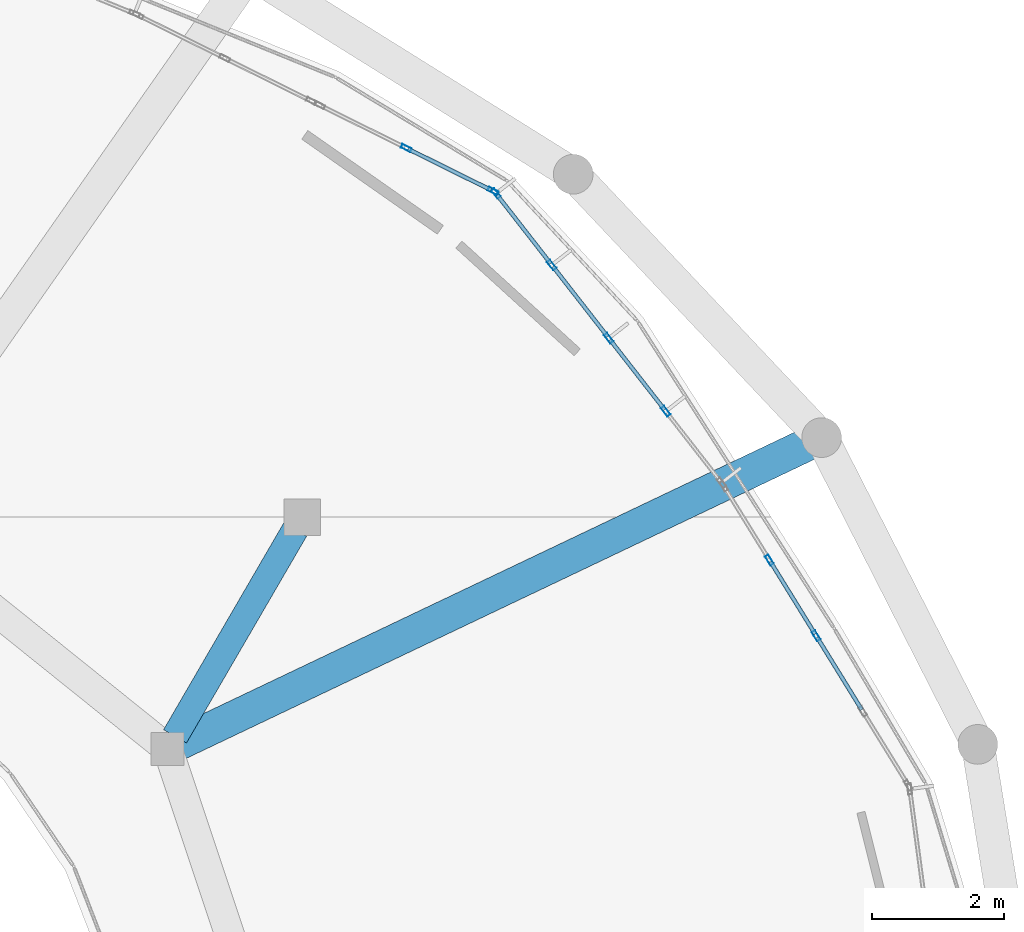
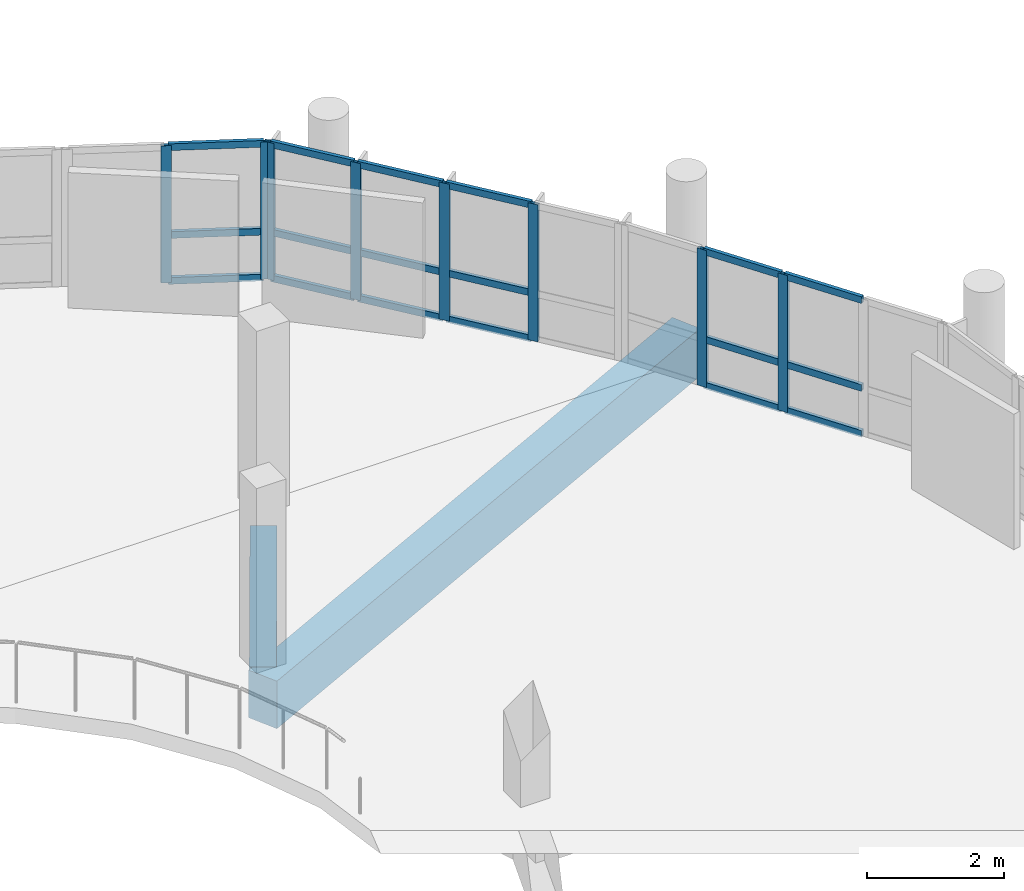
# One storey, part 23 of 43: 26 members, 2 beams, 3 elements without a shape of their own.
"""IFC4 building model written with IfcOpenShell, lengths in metres."""

import ifcopenshell
import ifcopenshell.guid

model = None  # the IFC model being written
_history = None  # IfcOwnerHistory: only IFC2X3 demands one
_inside = {}  # id of a spatial element -> (the spatial element, [elements in it])
_under = {}  # id of a project, library or spatial element -> (it, [spatial elements below it])
_declared = {}  # id of a project -> (the project, [libraries it declares])
_typed = {}  # id of a type object -> (the type object, [elements of that type])
_made_of = {}  # id of a material, layer set ... -> (it, [elements and type objects made of it])


def new_model(schema):
    """Start an empty IFC model of exactly this schema.

    Asked for "IFC4X3", IfcOpenShell would pick the latest addendum, in which some entities
    have other attributes; the version numbers below select the first issue.
    IFC2X3 requires an IfcOwnerHistory on every rooted entity: one is made here for all.
    """
    global model, _history
    if schema == "IFC4X3":
        model = ifcopenshell.file(schema_version=(4, 3, 0, 0))
    else:
        model = ifcopenshell.file(schema=schema)
    _inside.clear()
    _under.clear()
    _declared.clear()
    _typed.clear()
    _made_of.clear()
    _history = None
    if model.schema == "IFC2X3":
        org = make("IfcOrganization", Name="unknown")
        user = make(
            "IfcPersonAndOrganization",
            ThePerson=make("IfcPerson", FamilyName="unknown"),
            TheOrganization=org,
        )
        app = make(
            "IfcApplication",
            ApplicationDeveloper=org,
            Version="unknown",
            ApplicationFullName="unknown",
            ApplicationIdentifier="unknown",
        )
        _history = make(
            "IfcOwnerHistory",
            OwningUser=user,
            OwningApplication=app,
            ChangeAction="ADDED",
            CreationDate=0,
        )
    return model


def make(cls, **values):
    """One entity of the class cls with the attributes given. An attribute that is None is left unset."""
    return model.create_entity(
        cls, **{name: value for name, value in values.items() if value is not None}
    )


def rooted(cls, **values):
    """An entity with a GlobalId (a new one), such as an element, a storey or a relation."""
    return make(cls, GlobalId=ifcopenshell.guid.new(), OwnerHistory=_history, **values)


def si_unit(unit_type, name, prefix=None):
    """IfcSIUnit, for example si_unit("LENGTHUNIT", "METRE", prefix="MILLI")."""
    return make("IfcSIUnit", UnitType=unit_type, Prefix=prefix, Name=name)


def derived_unit(unit_type, elements):
    """IfcDerivedUnit: a product of units, each with its exponent."""
    return make(
        "IfcDerivedUnit",
        Elements=[
            make("IfcDerivedUnitElement", Unit=unit, Exponent=power)
            for unit, power in elements
        ],
        UnitType=unit_type,
    )


def assignment(units):
    """IfcUnitAssignment: the units of a project."""
    return None if units is None else make("IfcUnitAssignment", Units=units)


def point(xyz):
    """IfcCartesianPoint."""
    return None if xyz is None else make("IfcCartesianPoint", Coordinates=xyz)


def direction(xyz):
    """IfcDirection."""
    return None if xyz is None else make("IfcDirection", DirectionRatios=xyz)


def frame(location, z_axis=None, x_axis=None):
    """IfcAxis2Placement3D, a coordinate frame: its origin and axes. An axis left out is left unset."""
    return make(
        "IfcAxis2Placement3D",
        Location=point(location),
        Axis=direction(z_axis),
        RefDirection=direction(x_axis),
    )


def frame_2d(location, x_axis=None):
    """IfcAxis2Placement2D, a coordinate frame in the plane: its origin and x axis."""
    return make(
        "IfcAxis2Placement2D", Location=point(location), RefDirection=direction(x_axis)
    )


def origin():
    """The frame at (0, 0, 0) with its axes left unset."""
    return frame((0.0, 0.0, 0.0))


def origin_2d():
    """The frame at (0, 0) in the plane with its x axis left unset."""
    return frame_2d((0.0, 0.0))


def place(relative_to, where):
    """IfcLocalPlacement: puts the frame where relative to a parent placement (None: the world)."""
    return make(
        "IfcLocalPlacement", PlacementRelTo=relative_to, RelativePlacement=where
    )


def context(
    kind, dimensions, precision=None, world=None, true_north=None, identifier=None
):
    """IfcGeometricRepresentationContext, for example the 3D "Model" context."""
    return make(
        "IfcGeometricRepresentationContext",
        ContextIdentifier=identifier,
        ContextType=kind,
        CoordinateSpaceDimension=dimensions,
        Precision=precision,
        WorldCoordinateSystem=world,
        TrueNorth=true_north,
    )


def subcontext(parent, identifier, kind, view, scale=None):
    """IfcGeometricRepresentationSubContext, for example "Body" below "Model"."""
    return make(
        "IfcGeometricRepresentationSubContext",
        ContextIdentifier=identifier,
        ContextType=kind,
        ParentContext=parent,
        TargetScale=scale,
        TargetView=view,
    )


def project(units=None, contexts=None):
    """IfcProject with its units and contexts."""
    return rooted(
        "IfcProject",
        Name="project",
        RepresentationContexts=contexts,
        UnitsInContext=assignment(units),
    )


def spatial(cls, under=None, at=None, **own):
    """A site, building, storey or space (cls), placed at a placement, below another one or the project."""
    s = rooted(cls, ObjectPlacement=at, **own)
    if under is not None:
        _under.setdefault(under.id(), (under, []))[1].append(s)
    return s


def profile(cls, at=None, kind="AREA", **sizes):
    """A parametric profile (cls). Its sizes go by their IFC names, for example OverallWidth=200.0."""
    return make(cls, ProfileType=kind, Position=at, **sizes)


def rectangle(**sizes):
    """IfcRectangleProfileDef."""
    return profile("IfcRectangleProfileDef", **sizes)


def hollow_rectangle(**sizes):
    """IfcRectangleHollowProfileDef."""
    return profile("IfcRectangleHollowProfileDef", **sizes)


def extrude(swept, where, along, depth):
    """IfcExtrudedAreaSolid: the profile swept, set in the frame where, extruded along a direction by depth."""
    return make(
        "IfcExtrudedAreaSolid",
        SweptArea=swept,
        Position=where,
        ExtrudedDirection=direction(along),
        Depth=depth,
    )


def shape(context_of_items, identifier, shape_type, items):
    """IfcShapeRepresentation: the items that make up one representation, for example the "Body"."""
    return make(
        "IfcShapeRepresentation",
        ContextOfItems=context_of_items,
        RepresentationIdentifier=identifier,
        RepresentationType=shape_type,
        Items=items,
    )


def material(Name=None, Category=None):
    """IfcMaterial."""
    return make("IfcMaterial", Name=Name, Category=Category)


def layer(
    of_material, thickness, ventilated=None, Name=None, Category=None, Priority=None
):
    """IfcMaterialLayer: one layer of a wall or slab, of a material (None: an air gap)."""
    return make(
        "IfcMaterialLayer",
        Material=of_material,
        LayerThickness=thickness,
        IsVentilated=ventilated,
        Name=Name,
        Category=Category,
        Priority=Priority,
    )


def layer_set(layers, Name=None):
    """IfcMaterialLayerSet."""
    return make("IfcMaterialLayerSet", MaterialLayers=layers, LayerSetName=Name)


def material_profile(
    of_material, cross_section, Name=None, Category=None, Priority=None
):
    """IfcMaterialProfile: a cross section and its material."""
    return make(
        "IfcMaterialProfile",
        Name=Name,
        Material=of_material,
        Profile=cross_section,
        Priority=Priority,
        Category=Category,
    )


def profile_set(profiles, Name=None, composite=None):
    """IfcMaterialProfileSet."""
    return make(
        "IfcMaterialProfileSet",
        Name=Name,
        MaterialProfiles=profiles,
        CompositeProfile=composite,
    )


def made_of(thing, what):
    """Note that an element or type object is made of a material, layer set ...; save() writes the relation."""
    if what is not None:
        _made_of.setdefault(what.id(), (what, []))[1].append(thing)
    return thing


def type_object(cls, material=None, **own):
    """A type object (cls), such as IfcWallType, which elements share."""
    return made_of(rooted(cls, **own), material)


def element(
    cls,
    number,
    at=None,
    inside=None,
    cuts=None,
    type_object=None,
    material=None,
    context=None,
    identifier="Body",
    shape_type=None,
    held_by="IfcProductDefinitionShape",
    body=None,
    shapes=None,
    **own,
):
    """One element of the class cls, such as IfcWall. Its Tag is "e" and its number.

    at: its placement. inside: the storey or other place that contains it. cuts: it is an
    opening in that element (IfcRelVoidsElement). A single representation is given by context,
    identifier, shape_type and body (its items); several are given by shapes. held_by: the class
    of the entity that holds the representations. save() writes the other relations.
    """
    e = rooted(cls, Tag="e%d" % number, ObjectPlacement=at, **own)
    if body is not None:
        shapes = [shape(context, identifier, shape_type, body)]
    if shapes is not None:
        e.Representation = make(held_by, Representations=shapes)
    if inside is not None:
        _inside.setdefault(inside.id(), (inside, []))[1].append(e)
    if cuts is not None:
        rooted(
            "IfcRelVoidsElement", RelatingBuildingElement=cuts, RelatedOpeningElement=e
        )
    if type_object is not None:
        _typed.setdefault(type_object.id(), (type_object, []))[1].append(e)
    return made_of(e, material)


def aggregate(whole, parts):
    """IfcRelAggregates: a whole, such as a stair, and the parts it consists of."""
    return rooted("IfcRelAggregates", RelatingObject=whole, RelatedObjects=parts)


def save(model, path):
    """Write the relations noted so far, then the file.

    IfcRelAggregates (storeys below a building ...), IfcRelContainedInSpatialStructure (elements
    in a storey), IfcRelDefinesByType, IfcRelAssociatesMaterial and IfcRelDeclares: one each for
    every whole, place, type object, material and project.
    """
    for whole, parts in _under.values():
        aggregate(whole, parts)
    for where, things in _inside.values():
        rooted(
            "IfcRelContainedInSpatialStructure",
            RelatedElements=things,
            RelatingStructure=where,
        )
    for kind, things in _typed.values():
        rooted("IfcRelDefinesByType", RelatedObjects=things, RelatingType=kind)
    for what, things in _made_of.values():
        rooted("IfcRelAssociatesMaterial", RelatedObjects=things, RelatingMaterial=what)
    for by, libraries in _declared.values():
        rooted("IfcRelDeclares", RelatingContext=by, RelatedDefinitions=libraries)
    model.write(path)


model = new_model("IFC4")

# Units and contexts
model_context = context("Model", 3, precision=1e-05, world=origin(), true_north=direction((0.0, 1.0)))
body_context = subcontext(model_context, "Body", "Model", "MODEL_VIEW")
ifc_project = project(units=[si_unit("LENGTHUNIT", "METRE"), si_unit("AREAUNIT", "SQUARE_METRE"), si_unit("VOLUMEUNIT", "CUBIC_METRE"), si_unit("PLANEANGLEUNIT", "RADIAN"), si_unit("MASSUNIT", "GRAM", prefix="KILO"), derived_unit("THERMALTRANSMITTANCEUNIT", [(si_unit("POWERUNIT", "WATT"), 1), (si_unit("LENGTHUNIT", "METRE"), -2), (si_unit("THERMODYNAMICTEMPERATUREUNIT", "KELVIN"), -1)])], contexts=[model_context])

# Site, building, storey
site_placement = place(None, origin())
site = spatial("IfcSite", under=ifc_project, at=site_placement, CompositionType="ELEMENT")
building_placement = place(site_placement, origin())
building = spatial("IfcBuilding", under=site, at=building_placement, Name="Elbkamm Science Centre", CompositionType="ELEMENT")
storey_placement = place(building_placement, frame((0.0, 0.0, 18.300048828125)))
storey = spatial("IfcBuildingStorey", under=building, at=storey_placement, Name="L04", CompositionType="ELEMENT", Elevation=18.300048828125)

# Beams
ifc_material_1 = material(Name="Concrete C40/50", Category="concrete")
ifc_material_profile_1 = material_profile(ifc_material_1, rectangle(XDim=0.39990234375, YDim=0.64990234375, at=origin_2d()), Name="RC 400x650")
ifc_profile_set_1 = profile_set([ifc_material_profile_1], Name="Concrete C40/50")
beam_type_1 = type_object("IfcBeamType", Name="BM-RC-400x650", PredefinedType="BEAM", material=ifc_profile_set_1)
beam_1_placement = place(storey_placement, frame((75.489501953125, 75.409912109375, -0.60498046875), z_axis=(-0.502465212806, -0.864597426506, 0.0), x_axis=(0.864597426506, -0.502465212806, 0.0)))
element("IfcBeam", 1, at=beam_1_placement, inside=storey, type_object=beam_type_1, Name="L04 Perimeter Ring Tie Girder 066", PredefinedType="BEAM", context=body_context, shape_type="SweptSolid", body=[
    extrude(rectangle(XDim=0.39990234375, YDim=0.64990234375, at=origin_2d()), origin(), (0.0, 0.0, 1.0), 3.608154296875),
])
ifc_material_profile_2 = material_profile(ifc_material_1, rectangle(XDim=0.5, YDim=0.85009765625, at=origin_2d()), Name="RC 500x850")
ifc_profile_set_2 = profile_set([ifc_material_profile_2], Name="Concrete C40/50")
beam_type_2 = type_object("IfcBeamType", Name="BM-RC-500x850", PredefinedType="BEAM", material=ifc_profile_set_2)
beam_2_placement = place(storey_placement, frame((73.56591796875, 72.10009765625, -0.705078125), z_axis=(0.902897249077, 0.429856438371, 0.0), x_axis=(-0.429856438371, 0.902897249077, 0.0)))
element("IfcBeam", 2, at=beam_2_placement, inside=storey, type_object=beam_type_2, Name="L04 Elliptical Radial Girder 02", PredefinedType="BEAM", context=body_context, shape_type="SweptSolid", body=[
    extrude(rectangle(XDim=0.5, YDim=0.85009765625, at=origin_2d()), origin(), (0.0, 0.0, 1.0), 10.933837890625),
])

# Curtain wall, members
ifc_material_2 = material(Name="Powder-coated aluminium and triple low-E glazing", Category="aluminium")
ifc_layer_1 = layer(ifc_material_2, 0.159912109375)
ifc_layer_set_1 = layer_set([ifc_layer_1], Name="Powder-coated aluminium and triple low-E glazing")
curtain_wall_type_1 = type_object("IfcCurtainWallType", Name="CW-UNIT-5360x2460", PredefinedType="USERDEFINED", material=ifc_layer_set_1)
curtain_wall_1_placement = place(storey_placement, origin())
curtain_wall_1 = element("IfcCurtainWall", 3, at=curtain_wall_1_placement, inside=storey, type_object=curtain_wall_type_1, Name="L04 Unitised Curtain Wall 076", ObjectType="UNITISED CURTAIN WALL", PredefinedType="USERDEFINED")
ifc_material_3 = material(Name="Powder-coated aluminium EN AW-6060", Category="aluminium")
ifc_material_profile_3 = material_profile(ifc_material_3, hollow_rectangle(XDim=0.06005859375, YDim=0.159912109375, WallThickness=0.00390625, at=origin_2d()), Name="ALU M60x160")
ifc_profile_set_3 = profile_set([ifc_material_profile_3], Name="Powder-coated aluminium EN AW-6060")
member_type_1 = type_object("IfcMemberType", Name="CW-MUL-60x160", PredefinedType="MULLION", material=ifc_profile_set_3)
member_1_placement = place(storey_placement, frame((83.35498046875, 73.809326171875, 0.0), z_axis=(0.0, 0.0, 1.0), x_axis=(-0.85114742283, -0.524926723085, 0.0)))
member_1 = element("IfcMember", 4, at=member_1_placement, type_object=member_type_1, Name="CW-033 mullion 3", PredefinedType="MULLION", context=body_context, shape_type="SweptSolid", body=[
    extrude(hollow_rectangle(XDim=0.06005859375, YDim=0.159912109375, WallThickness=0.00390625, at=origin_2d()), origin(), (0.0, 0.0, 1.0), 2.449951171875),
])
member_2_placement = place(storey_placement, frame((82.650634765625, 74.951416015625, 0.0), z_axis=(0.0, 0.0, 1.0), x_axis=(-0.85114742283, -0.524926723085, 0.0)))
member_2 = element("IfcMember", 5, at=member_2_placement, type_object=member_type_1, Name="CW-033 mullion 4", PredefinedType="MULLION", context=body_context, shape_type="SweptSolid", body=[
    extrude(hollow_rectangle(XDim=0.06005859375, YDim=0.159912109375, WallThickness=0.00390625, at=origin_2d()), origin(), (0.0, 0.0, 1.0), 2.449951171875),
])

ifc_layer_2 = layer(ifc_material_2, 0.159912109375)
ifc_layer_set_2 = layer_set([ifc_layer_2], Name="Powder-coated aluminium and triple low-E glazing")
curtain_wall_type_2 = type_object("IfcCurtainWallType", Name="CW-UNIT-5600x2460", PredefinedType="USERDEFINED", material=ifc_layer_set_2)
curtain_wall_2_placement = place(storey_placement, origin())
curtain_wall_2 = element("IfcCurtainWall", 6, at=curtain_wall_2_placement, inside=storey, type_object=curtain_wall_type_2, Name="L04 Unitised Curtain Wall 077", ObjectType="UNITISED CURTAIN WALL", PredefinedType="USERDEFINED")
member_3_placement = place(storey_placement, frame((81.085693359375, 77.197509765625, 0.0), z_axis=(0.0, 0.0, 1.0), x_axis=(-0.788678605009, -0.614805707522, 0.0)))
member_3 = element("IfcMember", 7, at=member_3_placement, type_object=member_type_1, Name="CW-034 mullion 2", PredefinedType="MULLION", context=body_context, shape_type="SweptSolid", body=[
    extrude(hollow_rectangle(XDim=0.06005859375, YDim=0.159912109375, WallThickness=0.00390625, at=origin_2d()), origin(), (0.0, 0.0, 1.0), 2.449951171875),
])
member_4_placement = place(storey_placement, frame((80.22509765625, 78.301513671875, 0.0), z_axis=(0.0, 0.0, 1.0), x_axis=(-0.788678605009, -0.614805707522, 0.0)))
member_4 = element("IfcMember", 8, at=member_4_placement, type_object=member_type_1, Name="CW-034 mullion 3", PredefinedType="MULLION", context=body_context, shape_type="SweptSolid", body=[
    extrude(hollow_rectangle(XDim=0.06005859375, YDim=0.159912109375, WallThickness=0.00390625, at=origin_2d()), origin(), (0.0, 0.0, 1.0), 2.449951171875),
])
member_5_placement = place(storey_placement, frame((79.3642578125, 79.405517578125, 0.0), z_axis=(0.0, 0.0, 1.0), x_axis=(-0.788678605009, -0.614805707522, 0.0)))
member_5 = element("IfcMember", 9, at=member_5_placement, type_object=member_type_1, Name="CW-034 mullion 4", PredefinedType="MULLION", context=body_context, shape_type="SweptSolid", body=[
    extrude(hollow_rectangle(XDim=0.06005859375, YDim=0.159912109375, WallThickness=0.00390625, at=origin_2d()), origin(), (0.0, 0.0, 1.0), 2.449951171875),
])
member_6_placement = place(storey_placement, frame((78.522216796875, 80.48583984375, 0.0), z_axis=(0.0, 0.0, 1.0), x_axis=(-0.788678605009, -0.614805707522, 0.0)))
member_6 = element("IfcMember", 10, at=member_6_placement, type_object=member_type_1, Name="CW-034 mullion 5", PredefinedType="MULLION", context=body_context, shape_type="SweptSolid", body=[
    extrude(hollow_rectangle(XDim=0.06005859375, YDim=0.159912109375, WallThickness=0.00390625, at=origin_2d()), origin(), (0.0, 0.0, 1.0), 2.449951171875),
])

ifc_layer_3 = layer(ifc_material_2, 0.159912109375)
ifc_layer_set_3 = layer_set([ifc_layer_3], Name="Powder-coated aluminium and triple low-E glazing")
curtain_wall_type_3 = type_object("IfcCurtainWallType", Name="CW-UNIT-2980x2460", PredefinedType="USERDEFINED", material=ifc_layer_set_3)
curtain_wall_3_placement = place(storey_placement, origin())
curtain_wall_3 = element("IfcCurtainWall", 11, at=curtain_wall_3_placement, inside=storey, type_object=curtain_wall_type_3, Name="L04 Unitised Curtain Wall 078", ObjectType="UNITISED CURTAIN WALL", PredefinedType="USERDEFINED")
member_7_placement = place(storey_placement, frame((78.476806640625, 80.52294921875, 0.0), z_axis=(0.0, 0.0, 1.0), x_axis=(-0.443839909102, -0.896106095888, 0.0)))
member_7 = element("IfcMember", 12, at=member_7_placement, type_object=member_type_1, Name="CW-035 mullion 1", PredefinedType="MULLION", context=body_context, shape_type="SweptSolid", body=[
    extrude(hollow_rectangle(XDim=0.06005859375, YDim=0.159912109375, WallThickness=0.00390625, at=origin_2d()), origin(), (0.0, 0.0, 1.0), 2.449951171875),
])
member_8_placement = place(storey_placement, frame((77.1689453125, 81.170654296875, 0.0), z_axis=(0.0, 0.0, 1.0), x_axis=(-0.443839909102, -0.896106095888, 0.0)))
member_8 = element("IfcMember", 13, at=member_8_placement, type_object=member_type_1, Name="CW-035 mullion 2", PredefinedType="MULLION", context=body_context, shape_type="SweptSolid", body=[
    extrude(hollow_rectangle(XDim=0.06005859375, YDim=0.159912109375, WallThickness=0.00390625, at=origin_2d()), origin(), (0.0, 0.0, 1.0), 2.449951171875),
])

# Member
ifc_material_profile_4 = material_profile(ifc_material_3, hollow_rectangle(XDim=0.06005859375, YDim=0.1201171875, WallThickness=0.00341796875, at=origin_2d()), Name="ALU T60x120")
ifc_profile_set_4 = profile_set([ifc_material_profile_4], Name="Powder-coated aluminium EN AW-6060")
member_type_2 = type_object("IfcMemberType", Name="CW-TRN-60x120", PredefinedType="USERDEFINED", material=ifc_profile_set_4)
member_9_placement = place(storey_placement, frame((84.043701171875, 72.692626953125, 0.030029296875), z_axis=(-0.524904801262, 0.85116094225, 0.0), x_axis=(-0.85116094225, -0.524904801262, 0.0)))
member_9 = element("IfcMember", 14, at=member_9_placement, type_object=member_type_2, Name="CW-033 transom 2.1", ObjectType="TRANSOM", PredefinedType="USERDEFINED", context=body_context, shape_type="SweptSolid", body=[
    extrude(hollow_rectangle(XDim=0.06005859375, YDim=0.1201171875, WallThickness=0.00341796875, at=origin_2d()), origin(), (0.0, 0.0, 1.0), 1.28173828125),
])

member_10_placement = place(storey_placement, frame((84.043701171875, 72.692626953125, 0.849853515625), z_axis=(-0.524904801262, 0.85116094225, 0.0), x_axis=(-0.85116094225, -0.524904801262, 0.0)))
member_10 = element("IfcMember", 15, at=member_10_placement, type_object=member_type_2, Name="CW-033 transom 2.2", ObjectType="TRANSOM", PredefinedType="USERDEFINED", context=body_context, shape_type="SweptSolid", body=[
    extrude(hollow_rectangle(XDim=0.06005859375, YDim=0.1201171875, WallThickness=0.00341796875, at=origin_2d()), origin(), (0.0, 0.0, 1.0), 1.28173828125),
])

member_11_placement = place(storey_placement, frame((84.043701171875, 72.692626953125, 2.419921875), z_axis=(-0.524904801262, 0.85116094225, 0.0), x_axis=(-0.85116094225, -0.524904801262, 0.0)))
member_11 = element("IfcMember", 16, at=member_11_placement, type_object=member_type_2, Name="CW-033 transom 2.3", ObjectType="TRANSOM", PredefinedType="USERDEFINED", context=body_context, shape_type="SweptSolid", body=[
    extrude(hollow_rectangle(XDim=0.06005859375, YDim=0.1201171875, WallThickness=0.00341796875, at=origin_2d()), origin(), (0.0, 0.0, 1.0), 1.28173828125),
])

member_12_placement = place(storey_placement, frame((83.33935546875, 73.834716796875, 0.030029296875), z_axis=(-0.524904801262, 0.85116094225, 0.0), x_axis=(-0.85116094225, -0.524904801262, 0.0)))
member_12 = element("IfcMember", 17, at=member_12_placement, type_object=member_type_2, Name="CW-033 transom 3.1", ObjectType="TRANSOM", PredefinedType="USERDEFINED", context=body_context, shape_type="SweptSolid", body=[
    extrude(hollow_rectangle(XDim=0.06005859375, YDim=0.1201171875, WallThickness=0.00341796875, at=origin_2d()), origin(), (0.0, 0.0, 1.0), 1.28173828125),
])

member_13_placement = place(storey_placement, frame((83.33935546875, 73.834716796875, 0.849853515625), z_axis=(-0.524904801262, 0.85116094225, 0.0), x_axis=(-0.85116094225, -0.524904801262, 0.0)))
member_13 = element("IfcMember", 18, at=member_13_placement, type_object=member_type_2, Name="CW-033 transom 3.2", ObjectType="TRANSOM", PredefinedType="USERDEFINED", context=body_context, shape_type="SweptSolid", body=[
    extrude(hollow_rectangle(XDim=0.06005859375, YDim=0.1201171875, WallThickness=0.00341796875, at=origin_2d()), origin(), (0.0, 0.0, 1.0), 1.28173828125),
])

member_14_placement = place(storey_placement, frame((83.33935546875, 73.834716796875, 2.419921875), z_axis=(-0.524904801262, 0.85116094225, 0.0), x_axis=(-0.85116094225, -0.524904801262, 0.0)))
member_14 = element("IfcMember", 19, at=member_14_placement, type_object=member_type_2, Name="CW-033 transom 3.3", ObjectType="TRANSOM", PredefinedType="USERDEFINED", context=body_context, shape_type="SweptSolid", body=[
    extrude(hollow_rectangle(XDim=0.06005859375, YDim=0.1201171875, WallThickness=0.00341796875, at=origin_2d()), origin(), (0.0, 0.0, 1.0), 1.28173828125),
])

aggregate(curtain_wall_1, [member_1, member_2, member_9, member_10, member_11, member_12, member_13, member_14])

member_15_placement = place(storey_placement, frame((81.067138671875, 77.22119140625, 0.030029296875), z_axis=(-0.614823314188, 0.78866487961, 0.0), x_axis=(-0.78866487961, -0.614823314188, 0.0)))
member_15 = element("IfcMember", 20, at=member_15_placement, type_object=member_type_2, Name="CW-034 transom 2.1", ObjectType="TRANSOM", PredefinedType="USERDEFINED", context=body_context, shape_type="SweptSolid", body=[
    extrude(hollow_rectangle(XDim=0.06005859375, YDim=0.1201171875, WallThickness=0.00341796875, at=origin_2d()), origin(), (0.0, 0.0, 1.0), 1.33984375),
])

member_16_placement = place(storey_placement, frame((81.067138671875, 77.22119140625, 0.849853515625), z_axis=(-0.614823314188, 0.78866487961, 0.0), x_axis=(-0.78866487961, -0.614823314188, 0.0)))
member_16 = element("IfcMember", 21, at=member_16_placement, type_object=member_type_2, Name="CW-034 transom 2.2", ObjectType="TRANSOM", PredefinedType="USERDEFINED", context=body_context, shape_type="SweptSolid", body=[
    extrude(hollow_rectangle(XDim=0.06005859375, YDim=0.1201171875, WallThickness=0.00341796875, at=origin_2d()), origin(), (0.0, 0.0, 1.0), 1.33984375),
])

member_17_placement = place(storey_placement, frame((81.067138671875, 77.22119140625, 2.419921875), z_axis=(-0.614823314188, 0.78866487961, 0.0), x_axis=(-0.78866487961, -0.614823314188, 0.0)))
member_17 = element("IfcMember", 22, at=member_17_placement, type_object=member_type_2, Name="CW-034 transom 2.3", ObjectType="TRANSOM", PredefinedType="USERDEFINED", context=body_context, shape_type="SweptSolid", body=[
    extrude(hollow_rectangle(XDim=0.06005859375, YDim=0.1201171875, WallThickness=0.00341796875, at=origin_2d()), origin(), (0.0, 0.0, 1.0), 1.33984375),
])

member_18_placement = place(storey_placement, frame((80.20654296875, 78.3251953125, 0.030029296875), z_axis=(-0.614823314188, 0.78866487961, 0.0), x_axis=(-0.78866487961, -0.614823314188, 0.0)))
member_18 = element("IfcMember", 23, at=member_18_placement, type_object=member_type_2, Name="CW-034 transom 3.1", ObjectType="TRANSOM", PredefinedType="USERDEFINED", context=body_context, shape_type="SweptSolid", body=[
    extrude(hollow_rectangle(XDim=0.06005859375, YDim=0.1201171875, WallThickness=0.00341796875, at=origin_2d()), origin(), (0.0, 0.0, 1.0), 1.33984375),
])

member_19_placement = place(storey_placement, frame((80.20654296875, 78.3251953125, 0.849853515625), z_axis=(-0.614823314188, 0.78866487961, 0.0), x_axis=(-0.78866487961, -0.614823314188, 0.0)))
member_19 = element("IfcMember", 24, at=member_19_placement, type_object=member_type_2, Name="CW-034 transom 3.2", ObjectType="TRANSOM", PredefinedType="USERDEFINED", context=body_context, shape_type="SweptSolid", body=[
    extrude(hollow_rectangle(XDim=0.06005859375, YDim=0.1201171875, WallThickness=0.00341796875, at=origin_2d()), origin(), (0.0, 0.0, 1.0), 1.33984375),
])

member_20_placement = place(storey_placement, frame((80.20654296875, 78.3251953125, 2.419921875), z_axis=(-0.614823314188, 0.78866487961, 0.0), x_axis=(-0.78866487961, -0.614823314188, 0.0)))
member_20 = element("IfcMember", 25, at=member_20_placement, type_object=member_type_2, Name="CW-034 transom 3.3", ObjectType="TRANSOM", PredefinedType="USERDEFINED", context=body_context, shape_type="SweptSolid", body=[
    extrude(hollow_rectangle(XDim=0.06005859375, YDim=0.1201171875, WallThickness=0.00341796875, at=origin_2d()), origin(), (0.0, 0.0, 1.0), 1.33984375),
])

member_21_placement = place(storey_placement, frame((79.345947265625, 79.42919921875, 0.030029296875), z_axis=(-0.614895045967, 0.788608954073, 0.0), x_axis=(-0.788608954073, -0.614895045967, 0.0)))
member_21 = element("IfcMember", 26, at=member_21_placement, type_object=member_type_2, Name="CW-034 transom 4.1", ObjectType="TRANSOM", PredefinedType="USERDEFINED", context=body_context, shape_type="SweptSolid", body=[
    extrude(hollow_rectangle(XDim=0.06005859375, YDim=0.1201171875, WallThickness=0.00341796875, at=origin_2d()), origin(), (0.0, 0.0, 1.0), 1.309814453125),
])

member_22_placement = place(storey_placement, frame((79.345947265625, 79.42919921875, 0.849853515625), z_axis=(-0.614895045967, 0.788608954073, 0.0), x_axis=(-0.788608954073, -0.614895045967, 0.0)))
member_22 = element("IfcMember", 27, at=member_22_placement, type_object=member_type_2, Name="CW-034 transom 4.2", ObjectType="TRANSOM", PredefinedType="USERDEFINED", context=body_context, shape_type="SweptSolid", body=[
    extrude(hollow_rectangle(XDim=0.06005859375, YDim=0.1201171875, WallThickness=0.00341796875, at=origin_2d()), origin(), (0.0, 0.0, 1.0), 1.309814453125),
])

member_23_placement = place(storey_placement, frame((79.345947265625, 79.42919921875, 2.419921875), z_axis=(-0.614895045967, 0.788608954073, 0.0), x_axis=(-0.788608954073, -0.614895045967, 0.0)))
member_23 = element("IfcMember", 28, at=member_23_placement, type_object=member_type_2, Name="CW-034 transom 4.3", ObjectType="TRANSOM", PredefinedType="USERDEFINED", context=body_context, shape_type="SweptSolid", body=[
    extrude(hollow_rectangle(XDim=0.06005859375, YDim=0.1201171875, WallThickness=0.00341796875, at=origin_2d()), origin(), (0.0, 0.0, 1.0), 1.309814453125),
])

aggregate(curtain_wall_2, [member_3, member_4, member_5, member_6, member_15, member_16, member_17, member_18, member_19, member_20, member_21, member_22, member_23])

member_24_placement = place(storey_placement, frame((78.449951171875, 80.5361328125, 0.030029296875), z_axis=(-0.896095863357, 0.443860567831, 0.0), x_axis=(-0.443860567831, -0.896095863357, 0.0)))
member_24 = element("IfcMember", 29, at=member_24_placement, type_object=member_type_2, Name="CW-035 transom 1.1", ObjectType="TRANSOM", PredefinedType="USERDEFINED", context=body_context, shape_type="SweptSolid", body=[
    extrude(hollow_rectangle(XDim=0.06005859375, YDim=0.1201171875, WallThickness=0.00341796875, at=origin_2d()), origin(), (0.0, 0.0, 1.0), 1.3994140625),
])

member_25_placement = place(storey_placement, frame((78.449951171875, 80.5361328125, 0.849853515625), z_axis=(-0.896095863357, 0.443860567831, 0.0), x_axis=(-0.443860567831, -0.896095863357, 0.0)))
member_25 = element("IfcMember", 30, at=member_25_placement, type_object=member_type_2, Name="CW-035 transom 1.2", ObjectType="TRANSOM", PredefinedType="USERDEFINED", context=body_context, shape_type="SweptSolid", body=[
    extrude(hollow_rectangle(XDim=0.06005859375, YDim=0.1201171875, WallThickness=0.00341796875, at=origin_2d()), origin(), (0.0, 0.0, 1.0), 1.3994140625),
])

member_26_placement = place(storey_placement, frame((78.449951171875, 80.5361328125, 2.419921875), z_axis=(-0.896095863357, 0.443860567831, 0.0), x_axis=(-0.443860567831, -0.896095863357, 0.0)))
member_26 = element("IfcMember", 31, at=member_26_placement, type_object=member_type_2, Name="CW-035 transom 1.3", ObjectType="TRANSOM", PredefinedType="USERDEFINED", context=body_context, shape_type="SweptSolid", body=[
    extrude(hollow_rectangle(XDim=0.06005859375, YDim=0.1201171875, WallThickness=0.00341796875, at=origin_2d()), origin(), (0.0, 0.0, 1.0), 1.3994140625),
])

aggregate(curtain_wall_3, [member_7, member_8, member_24, member_25, member_26])

save(model, "model.ifc")
